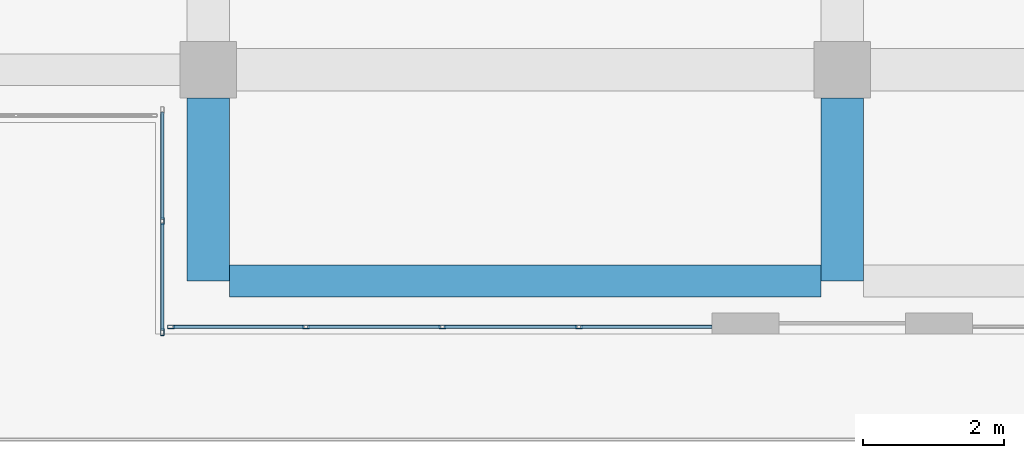
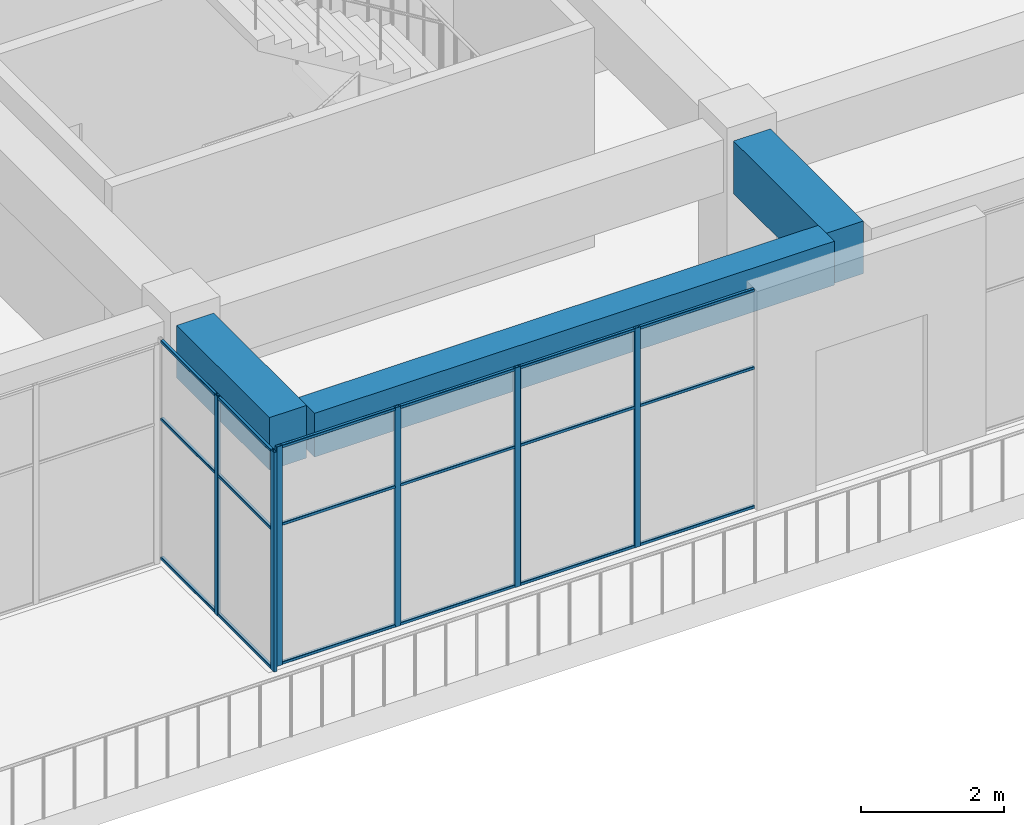
# One storey, part 37 of 81: 24 members, 3 beams, 2 elements without a shape of their own.
"""IFC4 building model written with IfcOpenShell, lengths in metres."""

from ifc_helpers import new_model, si_unit, direction, frame, origin, origin_2d, place, context, subcontext, project, spatial, rectangle, hollow_rectangle, extrude, material, layer, layer_set, material_profile, profile_set, type_object, element, aggregate, save


model = new_model("IFC4")

# Units and contexts
model_context = context("Model", 3, precision=1e-05, world=origin(), true_north=direction((0.0, 1.0)))
body_context = subcontext(model_context, "Body", "Model", "MODEL_VIEW")
ifc_project = project(units=[si_unit("LENGTHUNIT", "METRE"), si_unit("AREAUNIT", "SQUARE_METRE"), si_unit("VOLUMEUNIT", "CUBIC_METRE"), si_unit("PLANEANGLEUNIT", "RADIAN"), si_unit("MASSUNIT", "GRAM", prefix="KILO")], contexts=[model_context])

# Site, building, storey
site_placement = place(None, origin())
site = spatial("IfcSite", under=ifc_project, at=site_placement, CompositionType="ELEMENT")
building_placement = place(site_placement, origin())
building = spatial("IfcBuilding", under=site, at=building_placement, Name="Tuart Plaza Theatre", CompositionType="ELEMENT")
storey_placement = place(building_placement, frame((0.0, 0.0, 17.5)))
storey = spatial("IfcBuildingStorey", under=building, at=storey_placement, Name="L04", CompositionType="ELEMENT", Elevation=17.5)

# Beams
ifc_material_1 = material(Name="Concrete N40 (40 MPa)", Category="concrete")
ifc_material_profile_1 = material_profile(ifc_material_1, rectangle(XDim=0.449951171875, YDim=0.75, at=origin_2d()), Name="BEAM 450x750 Concrete N40 (40 MPa)")
ifc_profile_set_1 = profile_set([ifc_material_profile_1], Name="Concrete N40 (40 MPa)")
beam_type_1 = type_object("IfcBeamType", Name="BEAM 450x750 Concrete N40 (40 MPa)", PredefinedType="BEAM", material=ifc_profile_set_1)
beam_placement = place(storey_placement, frame((132.300048828125, 53.0, 3.375), z_axis=(1.0, 0.0, 0.0), x_axis=(0.0, 1.0, 0.0)))
element("IfcBeam", 1, at=beam_placement, inside=storey, type_object=beam_type_1, Name="RB221", PredefinedType="BEAM", context=body_context, shape_type="SweptSolid", body=[
    extrude(rectangle(XDim=0.449951171875, YDim=0.75, at=origin_2d()), origin(), (0.0, 0.0, 1.0), 8.39990234375),
])
ifc_material_2 = material(Name="Concrete N40 (40 MPa)", Category="concrete")
ifc_material_profile_2 = material_profile(ifc_material_2, rectangle(XDim=0.60009765625, YDim=0.89990234375, at=origin_2d()), Name="BEAM 600x900 Concrete N40 (40 MPa)")
ifc_profile_set_2 = profile_set([ifc_material_profile_2], Name="Concrete N40 (40 MPa)")
beam_type_2 = type_object("IfcBeamType", Name="BEAM 600x900 Concrete N40 (40 MPa)", PredefinedType="BEAM", material=ifc_profile_set_2)
for number, where, z_axis, x_axis, name in (
    (2, (132.0, 53.0, 3.300048828125), (0.0, 1.0, 0.0), (-1.0, 0.0, 0.0), "RB220"),
    (3, (141.0, 53.0, 3.300048828125), (0.0, 1.0, 0.0), (-1.0, 0.0, 0.0), "RB228"),
):
    element("IfcBeam", number, at=place(storey_placement, frame(where, z_axis=z_axis, x_axis=x_axis)), inside=storey, type_object=beam_type_2, Name=name, PredefinedType="BEAM", context=body_context, shape_type="SweptSolid", body=[
        extrude(rectangle(XDim=0.60009765625, YDim=0.89990234375, at=origin_2d()), origin(), (0.0, 0.0, 1.0), 2.60009765625),
    ])

# Curtain wall, members
ifc_material_3 = material(Name="Aluminium and glass", Category="aluminium")
ifc_layer = layer(ifc_material_3, 0.10009765625)
ifc_layer_set = layer_set([ifc_layer], Name="CURTAIN WALL 2000 module")
curtain_wall_type = type_object("IfcCurtainWallType", Name="CURTAIN WALL 2000 module", PredefinedType="NOTDEFINED", material=ifc_layer_set)
curtain_wall_1_placement = place(storey_placement, origin())
curtain_wall_1 = element("IfcCurtainWall", 4, at=curtain_wall_1_placement, inside=storey, type_object=curtain_wall_type, Name="CW75", PredefinedType="NOTDEFINED")
ifc_material_4 = material(Name="Aluminium 6063-T5", Category="aluminium")
ifc_material_profile_3 = material_profile(ifc_material_4, hollow_rectangle(XDim=0.050048828125, YDim=0.10009765625, WallThickness=0.00390625, InnerFilletRadius=0.00390625, OuterFilletRadius=0.008056640625, at=origin_2d()), Name="RHS 100x50x4")
ifc_profile_set_3 = profile_set([ifc_material_profile_3], Name="Aluminium 6063-T5")
member_type_1 = type_object("IfcMemberType", Name="MULLION RHS 100x50x4", PredefinedType="MULLION", material=ifc_profile_set_3)
member_1_placement = place(storey_placement, frame((131.35009765625, 53.85009765625, 0.0), z_axis=(0.0, 0.0, 1.0), x_axis=(1.0, 0.0, 0.0)))
member_1 = element("IfcMember", 5, at=member_1_placement, type_object=member_type_1, Name="CW75 mullion 2", PredefinedType="MULLION", context=body_context, shape_type="SweptSolid", body=[
    extrude(hollow_rectangle(XDim=0.050048828125, YDim=0.10009765625, WallThickness=0.00390625, InnerFilletRadius=0.00390625, OuterFilletRadius=0.008056640625, at=origin_2d()), origin(), (0.0, 0.0, 1.0), 3.75),
])
member_2_placement = place(storey_placement, frame((131.35009765625, 52.27490234375, 0.0), z_axis=(0.0, 0.0, 1.0), x_axis=(1.0, 0.0, 0.0)))
member_2 = element("IfcMember", 6, at=member_2_placement, type_object=member_type_1, Name="CW75 mullion 3", PredefinedType="MULLION", context=body_context, shape_type="SweptSolid", body=[
    extrude(hollow_rectangle(XDim=0.050048828125, YDim=0.10009765625, WallThickness=0.00390625, InnerFilletRadius=0.00390625, OuterFilletRadius=0.008056640625, at=origin_2d()), origin(), (0.0, 0.0, 1.0), 3.75),
])

curtain_wall_2_placement = place(storey_placement, origin())
curtain_wall_2 = element("IfcCurtainWall", 7, at=curtain_wall_2_placement, inside=storey, type_object=curtain_wall_type, Name="CW76", PredefinedType="NOTDEFINED")
member_3_placement = place(storey_placement, frame((131.47509765625, 52.35009765625, 0.0), z_axis=(0.0, 0.0, 1.0), x_axis=(0.0, 1.0, 0.0)))
member_3 = element("IfcMember", 8, at=member_3_placement, type_object=member_type_1, Name="CW76 mullion 1", PredefinedType="MULLION", context=body_context, shape_type="SweptSolid", body=[
    extrude(hollow_rectangle(XDim=0.050048828125, YDim=0.10009765625, WallThickness=0.00390625, InnerFilletRadius=0.00390625, OuterFilletRadius=0.008056640625, at=origin_2d()), origin(), (0.0, 0.0, 1.0), 3.75),
])
member_4_placement = place(storey_placement, frame((133.387451171875, 52.35009765625, 0.0), z_axis=(0.0, 0.0, 1.0), x_axis=(0.0, 1.0, 0.0)))
member_4 = element("IfcMember", 9, at=member_4_placement, type_object=member_type_1, Name="CW76 mullion 2", PredefinedType="MULLION", context=body_context, shape_type="SweptSolid", body=[
    extrude(hollow_rectangle(XDim=0.050048828125, YDim=0.10009765625, WallThickness=0.00390625, InnerFilletRadius=0.00390625, OuterFilletRadius=0.008056640625, at=origin_2d()), origin(), (0.0, 0.0, 1.0), 3.75),
])
member_5_placement = place(storey_placement, frame((135.324951171875, 52.35009765625, 0.0), z_axis=(0.0, 0.0, 1.0), x_axis=(0.0, 1.0, 0.0)))
member_5 = element("IfcMember", 10, at=member_5_placement, type_object=member_type_1, Name="CW76 mullion 3", PredefinedType="MULLION", context=body_context, shape_type="SweptSolid", body=[
    extrude(hollow_rectangle(XDim=0.050048828125, YDim=0.10009765625, WallThickness=0.00390625, InnerFilletRadius=0.00390625, OuterFilletRadius=0.008056640625, at=origin_2d()), origin(), (0.0, 0.0, 1.0), 3.75),
])
member_6_placement = place(storey_placement, frame((137.262451171875, 52.35009765625, 0.0), z_axis=(0.0, 0.0, 1.0), x_axis=(0.0, 1.0, 0.0)))
member_6 = element("IfcMember", 11, at=member_6_placement, type_object=member_type_1, Name="CW76 mullion 4", PredefinedType="MULLION", context=body_context, shape_type="SweptSolid", body=[
    extrude(hollow_rectangle(XDim=0.050048828125, YDim=0.10009765625, WallThickness=0.00390625, InnerFilletRadius=0.00390625, OuterFilletRadius=0.008056640625, at=origin_2d()), origin(), (0.0, 0.0, 1.0), 3.75),
])

# Member
ifc_material_5 = material(Name="Aluminium 6063-T5", Category="aluminium")
ifc_material_profile_4 = material_profile(ifc_material_5, hollow_rectangle(XDim=0.050048828125, YDim=0.050048828125, WallThickness=0.00390625, InnerFilletRadius=0.00390625, OuterFilletRadius=0.008056640625, at=origin_2d()), Name="RHS 50x50x4")
ifc_profile_set_4 = profile_set([ifc_material_profile_4], Name="Aluminium 6063-T5")
member_type_2 = type_object("IfcMemberType", Name="TRANSOM RHS 50x50x4", PredefinedType="USERDEFINED", material=ifc_profile_set_4)
member_7_placement = place(storey_placement, frame((131.35009765625, 55.39990234375, 0.02490234375), z_axis=(0.0, -1.0, 0.0), x_axis=(1.0, 0.0, 0.0)))
member_7 = element("IfcMember", 12, at=member_7_placement, type_object=member_type_2, Name="CW75 transom 1.1", ObjectType="TRANSOM", PredefinedType="USERDEFINED", context=body_context, shape_type="SweptSolid", body=[
    extrude(hollow_rectangle(XDim=0.050048828125, YDim=0.050048828125, WallThickness=0.00390625, InnerFilletRadius=0.00390625, OuterFilletRadius=0.008056640625, at=origin_2d()), origin(), (0.0, 0.0, 1.0), 1.52490234375),
])

member_8_placement = place(storey_placement, frame((131.35009765625, 55.39990234375, 2.39990234375), z_axis=(0.0, -1.0, 0.0), x_axis=(1.0, 0.0, 0.0)))
member_8 = element("IfcMember", 13, at=member_8_placement, type_object=member_type_2, Name="CW75 transom 1.2", ObjectType="TRANSOM", PredefinedType="USERDEFINED", context=body_context, shape_type="SweptSolid", body=[
    extrude(hollow_rectangle(XDim=0.050048828125, YDim=0.050048828125, WallThickness=0.00390625, InnerFilletRadius=0.00390625, OuterFilletRadius=0.008056640625, at=origin_2d()), origin(), (0.0, 0.0, 1.0), 1.52490234375),
])

member_9_placement = place(storey_placement, frame((131.35009765625, 55.39990234375, 3.72509765625), z_axis=(0.0, -1.0, 0.0), x_axis=(1.0, 0.0, 0.0)))
member_9 = element("IfcMember", 14, at=member_9_placement, type_object=member_type_2, Name="CW75 transom 1.3", ObjectType="TRANSOM", PredefinedType="USERDEFINED", context=body_context, shape_type="SweptSolid", body=[
    extrude(hollow_rectangle(XDim=0.050048828125, YDim=0.050048828125, WallThickness=0.00390625, InnerFilletRadius=0.00390625, OuterFilletRadius=0.008056640625, at=origin_2d()), origin(), (0.0, 0.0, 1.0), 1.52490234375),
])

member_10_placement = place(storey_placement, frame((131.35009765625, 53.824951171875, 0.02490234375), z_axis=(0.0, -1.0, 0.0), x_axis=(1.0, 0.0, 0.0)))
member_10 = element("IfcMember", 15, at=member_10_placement, type_object=member_type_2, Name="CW75 transom 2.1", ObjectType="TRANSOM", PredefinedType="USERDEFINED", context=body_context, shape_type="SweptSolid", body=[
    extrude(hollow_rectangle(XDim=0.050048828125, YDim=0.050048828125, WallThickness=0.00390625, InnerFilletRadius=0.00390625, OuterFilletRadius=0.008056640625, at=origin_2d()), origin(), (0.0, 0.0, 1.0), 1.52490234375),
])

member_11_placement = place(storey_placement, frame((131.35009765625, 53.824951171875, 2.39990234375), z_axis=(0.0, -1.0, 0.0), x_axis=(1.0, 0.0, 0.0)))
member_11 = element("IfcMember", 16, at=member_11_placement, type_object=member_type_2, Name="CW75 transom 2.2", ObjectType="TRANSOM", PredefinedType="USERDEFINED", context=body_context, shape_type="SweptSolid", body=[
    extrude(hollow_rectangle(XDim=0.050048828125, YDim=0.050048828125, WallThickness=0.00390625, InnerFilletRadius=0.00390625, OuterFilletRadius=0.008056640625, at=origin_2d()), origin(), (0.0, 0.0, 1.0), 1.52490234375),
])

member_12_placement = place(storey_placement, frame((131.35009765625, 53.824951171875, 3.72509765625), z_axis=(0.0, -1.0, 0.0), x_axis=(1.0, 0.0, 0.0)))
member_12 = element("IfcMember", 17, at=member_12_placement, type_object=member_type_2, Name="CW75 transom 2.3", ObjectType="TRANSOM", PredefinedType="USERDEFINED", context=body_context, shape_type="SweptSolid", body=[
    extrude(hollow_rectangle(XDim=0.050048828125, YDim=0.050048828125, WallThickness=0.00390625, InnerFilletRadius=0.00390625, OuterFilletRadius=0.008056640625, at=origin_2d()), origin(), (0.0, 0.0, 1.0), 1.52490234375),
])

aggregate(curtain_wall_1, [member_1, member_2, member_7, member_8, member_9, member_10, member_11, member_12])

member_13_placement = place(storey_placement, frame((131.5, 52.35009765625, 0.02490234375), z_axis=(1.0, 0.0, 0.0), x_axis=(0.0, 1.0, 0.0)))
member_13 = element("IfcMember", 18, at=member_13_placement, type_object=member_type_2, Name="CW76 transom 1.1", ObjectType="TRANSOM", PredefinedType="USERDEFINED", context=body_context, shape_type="SweptSolid", body=[
    extrude(hollow_rectangle(XDim=0.050048828125, YDim=0.050048828125, WallThickness=0.00390625, InnerFilletRadius=0.00390625, OuterFilletRadius=0.008056640625, at=origin_2d()), origin(), (0.0, 0.0, 1.0), 1.862548828125),
])

member_14_placement = place(storey_placement, frame((131.5, 52.35009765625, 2.39990234375), z_axis=(1.0, 0.0, 0.0), x_axis=(0.0, 1.0, 0.0)))
member_14 = element("IfcMember", 19, at=member_14_placement, type_object=member_type_2, Name="CW76 transom 1.2", ObjectType="TRANSOM", PredefinedType="USERDEFINED", context=body_context, shape_type="SweptSolid", body=[
    extrude(hollow_rectangle(XDim=0.050048828125, YDim=0.050048828125, WallThickness=0.00390625, InnerFilletRadius=0.00390625, OuterFilletRadius=0.008056640625, at=origin_2d()), origin(), (0.0, 0.0, 1.0), 1.862548828125),
])

member_15_placement = place(storey_placement, frame((131.5, 52.35009765625, 3.72509765625), z_axis=(1.0, 0.0, 0.0), x_axis=(0.0, 1.0, 0.0)))
member_15 = element("IfcMember", 20, at=member_15_placement, type_object=member_type_2, Name="CW76 transom 1.3", ObjectType="TRANSOM", PredefinedType="USERDEFINED", context=body_context, shape_type="SweptSolid", body=[
    extrude(hollow_rectangle(XDim=0.050048828125, YDim=0.050048828125, WallThickness=0.00390625, InnerFilletRadius=0.00390625, OuterFilletRadius=0.008056640625, at=origin_2d()), origin(), (0.0, 0.0, 1.0), 1.862548828125),
])

member_16_placement = place(storey_placement, frame((133.41259765625, 52.35009765625, 0.02490234375), z_axis=(1.0, 0.0, 0.0), x_axis=(0.0, 1.0, 0.0)))
member_16 = element("IfcMember", 21, at=member_16_placement, type_object=member_type_2, Name="CW76 transom 2.1", ObjectType="TRANSOM", PredefinedType="USERDEFINED", context=body_context, shape_type="SweptSolid", body=[
    extrude(hollow_rectangle(XDim=0.050048828125, YDim=0.050048828125, WallThickness=0.00390625, InnerFilletRadius=0.00390625, OuterFilletRadius=0.008056640625, at=origin_2d()), origin(), (0.0, 0.0, 1.0), 1.887451171875),
])

member_17_placement = place(storey_placement, frame((133.41259765625, 52.35009765625, 2.39990234375), z_axis=(1.0, 0.0, 0.0), x_axis=(0.0, 1.0, 0.0)))
member_17 = element("IfcMember", 22, at=member_17_placement, type_object=member_type_2, Name="CW76 transom 2.2", ObjectType="TRANSOM", PredefinedType="USERDEFINED", context=body_context, shape_type="SweptSolid", body=[
    extrude(hollow_rectangle(XDim=0.050048828125, YDim=0.050048828125, WallThickness=0.00390625, InnerFilletRadius=0.00390625, OuterFilletRadius=0.008056640625, at=origin_2d()), origin(), (0.0, 0.0, 1.0), 1.887451171875),
])

member_18_placement = place(storey_placement, frame((133.41259765625, 52.35009765625, 3.72509765625), z_axis=(1.0, 0.0, 0.0), x_axis=(0.0, 1.0, 0.0)))
member_18 = element("IfcMember", 23, at=member_18_placement, type_object=member_type_2, Name="CW76 transom 2.3", ObjectType="TRANSOM", PredefinedType="USERDEFINED", context=body_context, shape_type="SweptSolid", body=[
    extrude(hollow_rectangle(XDim=0.050048828125, YDim=0.050048828125, WallThickness=0.00390625, InnerFilletRadius=0.00390625, OuterFilletRadius=0.008056640625, at=origin_2d()), origin(), (0.0, 0.0, 1.0), 1.887451171875),
])

member_19_placement = place(storey_placement, frame((135.35009765625, 52.35009765625, 0.02490234375), z_axis=(1.0, 0.0, 0.0), x_axis=(0.0, 1.0, 0.0)))
member_19 = element("IfcMember", 24, at=member_19_placement, type_object=member_type_2, Name="CW76 transom 3.1", ObjectType="TRANSOM", PredefinedType="USERDEFINED", context=body_context, shape_type="SweptSolid", body=[
    extrude(hollow_rectangle(XDim=0.050048828125, YDim=0.050048828125, WallThickness=0.00390625, InnerFilletRadius=0.00390625, OuterFilletRadius=0.008056640625, at=origin_2d()), origin(), (0.0, 0.0, 1.0), 1.887451171875),
])

member_20_placement = place(storey_placement, frame((135.35009765625, 52.35009765625, 2.39990234375), z_axis=(1.0, 0.0, 0.0), x_axis=(0.0, 1.0, 0.0)))
member_20 = element("IfcMember", 25, at=member_20_placement, type_object=member_type_2, Name="CW76 transom 3.2", ObjectType="TRANSOM", PredefinedType="USERDEFINED", context=body_context, shape_type="SweptSolid", body=[
    extrude(hollow_rectangle(XDim=0.050048828125, YDim=0.050048828125, WallThickness=0.00390625, InnerFilletRadius=0.00390625, OuterFilletRadius=0.008056640625, at=origin_2d()), origin(), (0.0, 0.0, 1.0), 1.887451171875),
])

member_21_placement = place(storey_placement, frame((135.35009765625, 52.35009765625, 3.72509765625), z_axis=(1.0, 0.0, 0.0), x_axis=(0.0, 1.0, 0.0)))
member_21 = element("IfcMember", 26, at=member_21_placement, type_object=member_type_2, Name="CW76 transom 3.3", ObjectType="TRANSOM", PredefinedType="USERDEFINED", context=body_context, shape_type="SweptSolid", body=[
    extrude(hollow_rectangle(XDim=0.050048828125, YDim=0.050048828125, WallThickness=0.00390625, InnerFilletRadius=0.00390625, OuterFilletRadius=0.008056640625, at=origin_2d()), origin(), (0.0, 0.0, 1.0), 1.887451171875),
])

member_22_placement = place(storey_placement, frame((137.28759765625, 52.35009765625, 0.02490234375), z_axis=(1.0, 0.0, 0.0), x_axis=(0.0, 1.0, 0.0)))
member_22 = element("IfcMember", 27, at=member_22_placement, type_object=member_type_2, Name="CW76 transom 4.1", ObjectType="TRANSOM", PredefinedType="USERDEFINED", context=body_context, shape_type="SweptSolid", body=[
    extrude(hollow_rectangle(XDim=0.050048828125, YDim=0.050048828125, WallThickness=0.00390625, InnerFilletRadius=0.00390625, OuterFilletRadius=0.008056640625, at=origin_2d()), origin(), (0.0, 0.0, 1.0), 1.8623046875),
])

member_23_placement = place(storey_placement, frame((137.28759765625, 52.35009765625, 2.39990234375), z_axis=(1.0, 0.0, 0.0), x_axis=(0.0, 1.0, 0.0)))
member_23 = element("IfcMember", 28, at=member_23_placement, type_object=member_type_2, Name="CW76 transom 4.2", ObjectType="TRANSOM", PredefinedType="USERDEFINED", context=body_context, shape_type="SweptSolid", body=[
    extrude(hollow_rectangle(XDim=0.050048828125, YDim=0.050048828125, WallThickness=0.00390625, InnerFilletRadius=0.00390625, OuterFilletRadius=0.008056640625, at=origin_2d()), origin(), (0.0, 0.0, 1.0), 1.8623046875),
])

member_24_placement = place(storey_placement, frame((137.28759765625, 52.35009765625, 3.72509765625), z_axis=(1.0, 0.0, 0.0), x_axis=(0.0, 1.0, 0.0)))
member_24 = element("IfcMember", 29, at=member_24_placement, type_object=member_type_2, Name="CW76 transom 4.3", ObjectType="TRANSOM", PredefinedType="USERDEFINED", context=body_context, shape_type="SweptSolid", body=[
    extrude(hollow_rectangle(XDim=0.050048828125, YDim=0.050048828125, WallThickness=0.00390625, InnerFilletRadius=0.00390625, OuterFilletRadius=0.008056640625, at=origin_2d()), origin(), (0.0, 0.0, 1.0), 1.8623046875),
])

aggregate(curtain_wall_2, [member_3, member_4, member_5, member_6, member_13, member_14, member_15, member_16, member_17, member_18, member_19, member_20, member_21, member_22, member_23, member_24])

save(model, "model.ifc")
